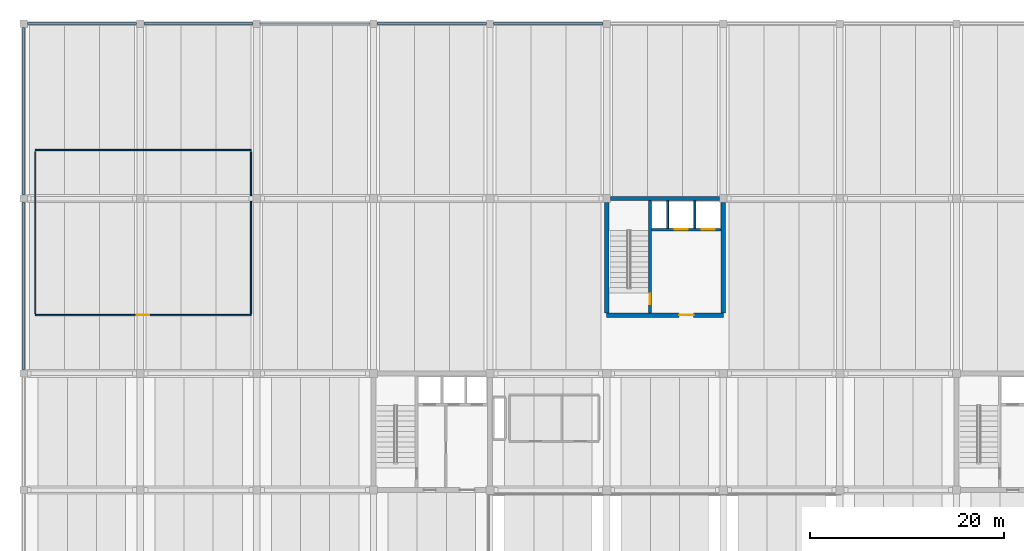
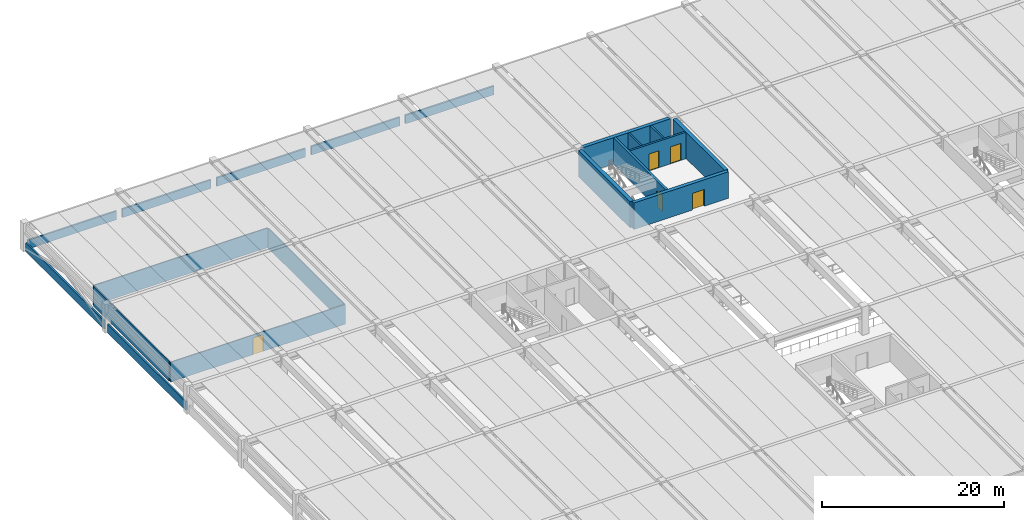
# One storey, part 10 of 16: 19 walls, 5 doors, 5 openings.
"""IFC4 building model written with IfcOpenShell, lengths in metres."""

from ifc_helpers import new_model, si_unit, direction, frame, frame_2d, origin, place, context, subcontext, project, spatial, rectangle, extrude, material, layer, layer_set, type_object, element, fill, save


model = new_model("IFC4")

# Units and contexts
model_context = context("Model", 3, precision=1e-05, world=origin(), true_north=direction((0.0, 1.0)))
body_context = subcontext(model_context, "Body", "Model", "MODEL_VIEW")
ifc_project = project(units=[si_unit("LENGTHUNIT", "METRE"), si_unit("AREAUNIT", "SQUARE_METRE"), si_unit("VOLUMEUNIT", "CUBIC_METRE"), si_unit("PLANEANGLEUNIT", "RADIAN"), si_unit("MASSUNIT", "GRAM", prefix="KILO")], contexts=[model_context])

# Site, building, storey
site_placement = place(None, origin())
site = spatial("IfcSite", under=ifc_project, at=site_placement, CompositionType="ELEMENT")
building_placement = place(site_placement, origin())
building = spatial("IfcBuilding", under=site, at=building_placement, Name="Girod Span Mobility Hub", CompositionType="ELEMENT")
storey_placement = place(building_placement, frame((0.0, 0.0, 28.60009765625)))
storey = spatial("IfcBuildingStorey", under=building, at=storey_placement, Name="L07", CompositionType="ELEMENT", Elevation=28.60009765625)

# Wall, opening, door
ifc_material_1 = material(Name="Concrete C40/50", Category="concrete")
ifc_layer_1 = layer(ifc_material_1, 0.449951171875)
ifc_layer_set_1 = layer_set([ifc_layer_1], Name="Concrete C40/50")
wall_type_1 = type_object("IfcWallType", Name="W-CW-450", PredefinedType="SHEAR", material=ifc_layer_set_1)
wall_1_placement = place(storey_placement, frame((72.0, 75.0, 0.0), z_axis=(0.0, 0.0, 1.0), x_axis=(1.0, 0.0, 0.0)))
wall_1 = element("IfcWall", 1, at=wall_1_placement, inside=storey, type_object=wall_type_1, Name="Core C4 Shear Wall S L07", PredefinedType="SHEAR", context=body_context, shape_type="SweptSolid", body=[
    extrude(rectangle(XDim=12.0, YDim=0.449951171875, at=frame_2d((6.0, 0.0))), origin(), (0.0, 0.0, 1.0), 3.552978515625),
])
opening_1_placement = place(wall_1_placement, frame((7.449951171875, 0.0, 0.0)))
opening_1 = element("IfcOpeningElement", 2, at=opening_1_placement, cuts=wall_1, Name="Opening D-LB-C4-L07", PredefinedType="OPENING", context=body_context, shape_type="SweptSolid", body=[
    extrude(rectangle(XDim=1.5, YDim=2.25, at=frame_2d((0.75, 1.125))), frame((0.0, 0.239990234375, 0.0), z_axis=(0.0, -1.0, 0.0), x_axis=(1.0, 0.0, 0.0)), (0.0, 0.0, 1.0), 0.47998046875),
])
ifc_material_2 = material(Name="Fire-Rated Insulated Hollow Metal Steel", Category="steel")
door_type_1 = type_object("IfcDoorType", Name="DT-FD-03", OperationType="DOUBLE_DOOR_SINGLE_SWING", PredefinedType="DOOR", material=ifc_material_2)
door_1_placement = place(opening_1_placement, origin())
door_1 = element("IfcDoor", 3, at=door_1_placement, inside=storey, type_object=door_type_1, Name="Core C4 Cargo Lift Lobby Door L07", OperationType="DOUBLE_DOOR_SINGLE_SWING", OverallHeight=2.25, OverallWidth=1.5, PredefinedType="DOOR", context=body_context, shape_type="SweptSolid", body=[
    extrude(rectangle(XDim=1.5, YDim=2.25, at=frame_2d((0.75, 1.125))), frame((0.0, 0.02490234375, 0.0), z_axis=(0.0, -1.0, 0.0), x_axis=(1.0, 0.0, 0.0)), (0.0, 0.0, 1.0), 0.050048828125),
])
fill(opening_1, door_1)

# Walls
wall_2_placement = place(storey_placement, frame((72.39697265625, 87.0, 0.0), z_axis=(0.0, 0.0, 1.0), x_axis=(1.0, 0.0, 0.0)))
element("IfcWall", 4, at=wall_2_placement, inside=storey, type_object=wall_type_1, Name="Core C4 Shear Wall N L07", PredefinedType="SHEAR", context=body_context, shape_type="SweptSolid", body=[
    extrude(rectangle(XDim=11.2060546875, YDim=0.449951171875, at=frame_2d((5.60302734375, 0.0))), origin(), (0.0, 0.0, 1.0), 3.552978515625),
])
for number, where, z_axis, x_axis, name in (
    (5, (72.0, 75.221923828125, 0.0), (0.0, 0.0, 1.0), (0.0, 1.0, 0.0), "Core C4 Shear Wall W L07"),
    (6, (84.0, 75.221923828125, 0.0), (0.0, 0.0, 1.0), (0.0, 1.0, 0.0), "Core C4 Shear Wall E L07"),
):
    element("IfcWall", number, at=place(storey_placement, frame(where, z_axis=z_axis, x_axis=x_axis)), inside=storey, type_object=wall_type_1, Name=name, PredefinedType="SHEAR", context=body_context, shape_type="SweptSolid", body=[
        extrude(rectangle(XDim=11.381103515625, YDim=0.449951171875, at=frame_2d((5.6904296875, 0.0))), origin(), (0.0, 0.0, 1.0), 3.552978515625),
    ])
ifc_material_3 = material(Name="Precast Architectural Concrete C40/50", Category="concrete")
ifc_layer_2 = layer(ifc_material_3, 0.215087890625)
ifc_layer_set_2 = layer_set([ifc_layer_2], Name="Precast Architectural Concrete C40/50")
wall_type_2 = type_object("IfcWallType", Name="W-PAR-215", PredefinedType="PARAPET", material=ifc_layer_set_2)
for number, where, z_axis, x_axis, name in (
    (7, (12.373046875, 105.0, 0.0), (0.0, 0.0, 1.0), (1.0, 0.0, 0.0), "Precast Parking Barrier Parapet N-2 L07"),
    (8, (24.373046875, 105.0, 0.0), (0.0, 0.0, 1.0), (1.0, 0.0, 0.0), "Precast Parking Barrier Parapet N-3 L07"),
    (9, (36.373046875, 105.0, 0.0), (0.0, 0.0, 1.0), (1.0, 0.0, 0.0), "Precast Parking Barrier Parapet N-4 L07"),
    (10, (48.373046875, 105.0, 0.0), (0.0, 0.0, 1.0), (1.0, 0.0, 0.0), "Precast Parking Barrier Parapet N-5 L07"),
    (11, (60.373046875, 105.0, 0.0), (0.0, 0.0, 1.0), (1.0, 0.0, 0.0), "Precast Parking Barrier Parapet N-6 L07"),
):
    element("IfcWall", number, at=place(storey_placement, frame(where, z_axis=z_axis, x_axis=x_axis)), inside=storey, type_object=wall_type_2, Name=name, PredefinedType="PARAPET", context=body_context, shape_type="SweptSolid", body=[
        extrude(rectangle(XDim=11.25390625, YDim=0.215087890625, at=frame_2d((5.626953125, 0.0))), origin(), (0.0, 0.0, 1.0), 1.14990234375),
    ])
for number, where, z_axis, x_axis, name in (
    (12, (12.0, 69.373046875, 0.0), (0.0, 0.0, 1.0), (0.0, 1.0, 0.0), "Precast Side Barrier Parapet W-F-1 L07"),
    (13, (12.0, 87.373046875, 0.0), (0.0, 0.0, 1.0), (0.0, 1.0, 0.0), "Precast Side Barrier Parapet W-G-1 L07"),
):
    element("IfcWall", number, at=place(storey_placement, frame(where, z_axis=z_axis, x_axis=x_axis)), inside=storey, type_object=wall_type_2, Name=name, PredefinedType="PARAPET", context=body_context, shape_type="SweptSolid", body=[
        extrude(rectangle(XDim=17.25390625, YDim=0.215087890625, at=frame_2d((8.626953125, 0.0))), origin(), (0.0, 0.0, 1.0), 1.14990234375),
    ])

# Wall, opening, door
ifc_material_4 = material(Name="Fire-Rated Gypsum Board on Metal Studs", Category="gypsum")
ifc_layer_3 = layer(ifc_material_4, 0.139892578125)
ifc_layer_set_3 = layer_set([ifc_layer_3], Name="Fire-Rated Gypsum Board on Metal Studs")
wall_type_3 = type_object("IfcWallType", Name="W-PT-140", PredefinedType="PARTITIONING", material=ifc_layer_set_3)
wall_3_placement = place(storey_placement, frame((13.199951171875, 75.0, 0.0), z_axis=(0.0, 0.0, 1.0), x_axis=(1.0, 0.0, 0.0)))
wall_3 = element("IfcWall", 14, at=wall_3_placement, inside=storey, type_object=wall_type_3, Name="Storage Room Fleet Parts Partition S", PredefinedType="PARTITIONING", context=body_context, shape_type="SweptSolid", body=[
    extrude(rectangle(XDim=22.199951171875, YDim=0.139892578125, at=frame_2d((11.10009765625, 0.0))), origin(), (0.0, 0.0, 1.0), 2.639892578125),
])
opening_2_placement = place(wall_3_placement, frame((10.465087890625, 0.0, 0.0)))
opening_2 = element("IfcOpeningElement", 15, at=opening_2_placement, cuts=wall_3, Name="Opening D-L07-STR-07", PredefinedType="OPENING", context=body_context, shape_type="SweptSolid", body=[
    extrude(rectangle(XDim=1.27001953125, YDim=2.27001953125, at=frame_2d((0.635009765625, 1.135009765625))), frame((0.0, 0.0849609375, 0.0), z_axis=(0.0, -1.0, 0.0), x_axis=(1.0, 0.0, 0.0)), (0.0, 0.0, 1.0), 0.169921875),
])
ifc_material_5 = material(Name="Solid-Core Architectural Timber", Category="wood")
door_type_2 = type_object("IfcDoorType", Name="DT-NR-09", OperationType="NOTDEFINED", PredefinedType="DOOR", material=ifc_material_5)
door_2_placement = place(opening_2_placement, origin())
door_2 = element("IfcDoor", 16, at=door_2_placement, inside=storey, type_object=door_type_2, Name="Storage Room Fleet Parts Door", OperationType="SINGLE_SWING_LEFT", OverallHeight=2.27001953125, OverallWidth=1.27001953125, PredefinedType="DOOR", context=body_context, shape_type="SweptSolid", body=[
    extrude(rectangle(XDim=1.27001953125, YDim=2.27001953125, at=frame_2d((0.635009765625, 1.135009765625))), frame((0.0, 0.02490234375, 0.0), z_axis=(0.0, -1.0, 0.0), x_axis=(1.0, 0.0, 0.0)), (0.0, 0.0, 1.0), 0.050048828125),
])
fill(opening_2, door_2)

# Walls
wall_4_placement = place(storey_placement, frame((13.199951171875, 92.0, 0.0), z_axis=(0.0, 0.0, 1.0), x_axis=(1.0, 0.0, 0.0)))
element("IfcWall", 17, at=wall_4_placement, inside=storey, type_object=wall_type_3, Name="Storage Room Fleet Parts Partition N", PredefinedType="PARTITIONING", context=body_context, shape_type="SweptSolid", body=[
    extrude(rectangle(XDim=22.199951171875, YDim=0.139892578125, at=frame_2d((11.10009765625, 0.0))), origin(), (0.0, 0.0, 1.0), 2.639892578125),
])
for number, where, z_axis, x_axis, name in (
    (18, (13.199951171875, 75.159912109375, 0.0), (0.0, 0.0, 1.0), (0.0, 1.0, 0.0), "Storage Room Fleet Parts Partition W"),
    (19, (35.39990234375, 75.159912109375, 0.0), (0.0, 0.0, 1.0), (0.0, 1.0, 0.0), "Storage Room Fleet Parts Partition E"),
):
    element("IfcWall", number, at=place(storey_placement, frame(where, z_axis=z_axis, x_axis=x_axis)), inside=storey, type_object=wall_type_3, Name=name, PredefinedType="PARTITIONING", context=body_context, shape_type="SweptSolid", body=[
        extrude(rectangle(XDim=16.68017578125, YDim=0.139892578125, at=frame_2d((8.340087890625, 0.0))), origin(), (0.0, 0.0, 1.0), 2.639892578125),
    ])
ifc_material_6 = material(Name="Concrete C40/50", Category="concrete")
ifc_layer_4 = layer(ifc_material_6, 0.199951171875)
ifc_layer_set_4 = layer_set([ifc_layer_4], Name="Concrete C40/50")
wall_type_4 = type_object("IfcWallType", Name="W-SH-200", PredefinedType="SOLIDWALL", material=ifc_layer_set_4)
for number, where, z_axis, x_axis, name in (
    (20, (78.280029296875, 83.919921875, 0.0), (0.0, 0.0, 1.0), (0.0, 1.0, 0.0), "Core C4 Shaft Divider 1 L07"),
    (21, (81.080078125, 83.919921875, 0.0), (0.0, 0.0, 1.0), (0.0, 1.0, 0.0), "Core C4 Shaft Divider 2 L07"),
):
    element("IfcWall", number, at=place(storey_placement, frame(where, z_axis=z_axis, x_axis=x_axis)), inside=storey, type_object=wall_type_4, Name=name, PredefinedType="SOLIDWALL", context=body_context, shape_type="SweptSolid", body=[
        extrude(rectangle(XDim=2.85498046875, YDim=0.199951171875, at=frame_2d((1.427490234375, 0.0))), origin(), (0.0, 0.0, 1.0), 3.54296875),
    ])

# Wall, openings, doors
ifc_material_7 = material(Name="Concrete C40/50", Category="concrete")
ifc_layer_5 = layer(ifc_material_7, 0.25)
ifc_layer_set_5 = layer_set([ifc_layer_5], Name="Concrete C40/50")
wall_type_5 = type_object("IfcWallType", Name="W-SH-250", PredefinedType="SOLIDWALL", material=ifc_layer_set_5)
wall_5_placement = place(storey_placement, frame((76.596923828125, 83.800048828125, 0.0), z_axis=(0.0, 0.0, 1.0), x_axis=(1.0, 0.0, 0.0)))
wall_5 = element("IfcWall", 22, at=wall_5_placement, inside=storey, type_object=wall_type_5, Name="Core C4 Hoistway Front Wall L07", PredefinedType="SOLIDWALL", context=body_context, shape_type="SweptSolid", body=[
    extrude(rectangle(XDim=7.18115234375, YDim=0.25, at=frame_2d((3.590576171875, 0.0))), origin(), (0.0, 0.0, 1.0), 3.552978515625),
])
opening_3_placement = place(wall_5_placement, frame((2.43310546875, 0.0, 0.0)))
opening_3 = element("IfcOpeningElement", 23, at=opening_3_placement, cuts=wall_5, Name="Opening LD-LB-1-L07", PredefinedType="OPENING", context=body_context, shape_type="SweptSolid", body=[
    extrude(rectangle(XDim=1.300048828125, YDim=2.280029296875, at=frame_2d((0.64990234375, 1.14013671875))), frame((0.0, 0.139892578125, 0.0), z_axis=(0.0, -1.0, 0.0), x_axis=(1.0, 0.0, 0.0)), (0.0, 0.0, 1.0), 0.280029296875),
])
opening_4_placement = place(wall_5_placement, frame((5.202880859375, 0.0, 0.0)))
opening_4 = element("IfcOpeningElement", 24, at=opening_4_placement, cuts=wall_5, Name="Opening LD-LB-2-L07", PredefinedType="OPENING", context=body_context, shape_type="SweptSolid", body=[
    extrude(rectangle(XDim=1.300048828125, YDim=2.280029296875, at=frame_2d((0.64990234375, 1.14013671875))), frame((0.0, 0.139892578125, 0.0), z_axis=(0.0, -1.0, 0.0), x_axis=(1.0, 0.0, 0.0)), (0.0, 0.0, 1.0), 0.280029296875),
])
ifc_material_8 = material(Name="Brushed Stainless Steel Grade 304", Category="steel")
door_type_3 = type_object("IfcDoorType", Name="LD-LB-130", OperationType="SLIDING_TO_LEFT", PredefinedType="USERDEFINED", material=ifc_material_8)
door_3_placement = place(opening_3_placement, origin())
door_3 = element("IfcDoor", 25, at=door_3_placement, inside=storey, type_object=door_type_3, Name="Lift LB-1 Sliding Landing Door L07", ObjectType="LANDING DOOR", OperationType="SLIDING_TO_LEFT", OverallHeight=2.280029296875, OverallWidth=1.300048828125, PredefinedType="USERDEFINED", context=body_context, shape_type="SweptSolid", body=[
    extrude(rectangle(XDim=1.300048828125, YDim=2.280029296875, at=frame_2d((0.64990234375, 1.14013671875))), frame((0.0, 0.02490234375, 0.0), z_axis=(0.0, -1.0, 0.0), x_axis=(1.0, 0.0, 0.0)), (0.0, 0.0, 1.0), 0.050048828125),
])
fill(opening_3, door_3)
door_4_placement = place(opening_4_placement, origin())
door_4 = element("IfcDoor", 26, at=door_4_placement, inside=storey, type_object=door_type_3, Name="Lift LB-2 Sliding Landing Door L07", ObjectType="LANDING DOOR", OperationType="SLIDING_TO_LEFT", OverallHeight=2.280029296875, OverallWidth=1.300048828125, PredefinedType="USERDEFINED", context=body_context, shape_type="SweptSolid", body=[
    extrude(rectangle(XDim=1.300048828125, YDim=2.280029296875, at=frame_2d((0.64990234375, 1.14013671875))), frame((0.0, 0.02490234375, 0.0), z_axis=(0.0, -1.0, 0.0), x_axis=(1.0, 0.0, 0.0)), (0.0, 0.0, 1.0), 0.050048828125),
])
fill(opening_4, door_4)

# Wall, opening, door
ifc_material_9 = material(Name="Concrete C40/50", Category="concrete")
ifc_layer_6 = layer(ifc_material_9, 0.300048828125)
ifc_layer_set_6 = layer_set([ifc_layer_6], Name="Concrete C40/50")
wall_type_6 = type_object("IfcWallType", Name="W-SH-300", PredefinedType="SHEAR", material=ifc_layer_set_6)
wall_6_placement = place(storey_placement, frame((76.449951171875, 75.221923828125, 0.0), z_axis=(0.0, 0.0, 1.0), x_axis=(0.0, 1.0, 0.0)))
wall_6 = element("IfcWall", 27, at=wall_6_placement, inside=storey, type_object=wall_type_6, Name="Core C4 Stairwell Spine Wall L07", PredefinedType="SHEAR", context=body_context, shape_type="SweptSolid", body=[
    extrude(rectangle(XDim=11.55615234375, YDim=0.300048828125, at=frame_2d((5.778076171875, 0.0))), origin(), (0.0, 0.0, 1.0), 3.552978515625),
])
opening_5_placement = place(wall_6_placement, frame((0.89990234375, 0.0, 0.0)))
opening_5 = element("IfcOpeningElement", 28, at=opening_5_placement, cuts=wall_6, Name="Opening D-ST-4-L07", PredefinedType="OPENING", context=body_context, shape_type="SweptSolid", body=[
    extrude(rectangle(XDim=1.10009765625, YDim=2.199951171875, at=frame_2d((0.550048828125, 1.10009765625))), frame((0.0, 0.1650390625, 0.0), z_axis=(0.0, -1.0, 0.0), x_axis=(1.0, 0.0, 0.0)), (0.0, 0.0, 1.0), 0.330078125),
])
ifc_material_10 = material(Name="Fire-Rated Insulated Hollow Metal Steel", Category="steel")
door_type_4 = type_object("IfcDoorType", Name="DT-FD-01", OperationType="NOTDEFINED", PredefinedType="DOOR", material=ifc_material_10)
door_5_placement = place(opening_5_placement, origin())
door_5 = element("IfcDoor", 29, at=door_5_placement, inside=storey, type_object=door_type_4, Name="Stair ST-4 Fire Door L07", OperationType="SINGLE_SWING_LEFT", OverallHeight=2.199951171875, OverallWidth=1.10009765625, PredefinedType="DOOR", context=body_context, shape_type="SweptSolid", body=[
    extrude(rectangle(XDim=1.10009765625, YDim=2.199951171875, at=frame_2d((0.550048828125, 1.10009765625))), frame((0.0, 0.02490234375, 0.0), z_axis=(0.0, -1.0, 0.0), x_axis=(1.0, 0.0, 0.0)), (0.0, 0.0, 1.0), 0.050048828125),
])
fill(opening_5, door_5)

save(model, "model.ifc")
